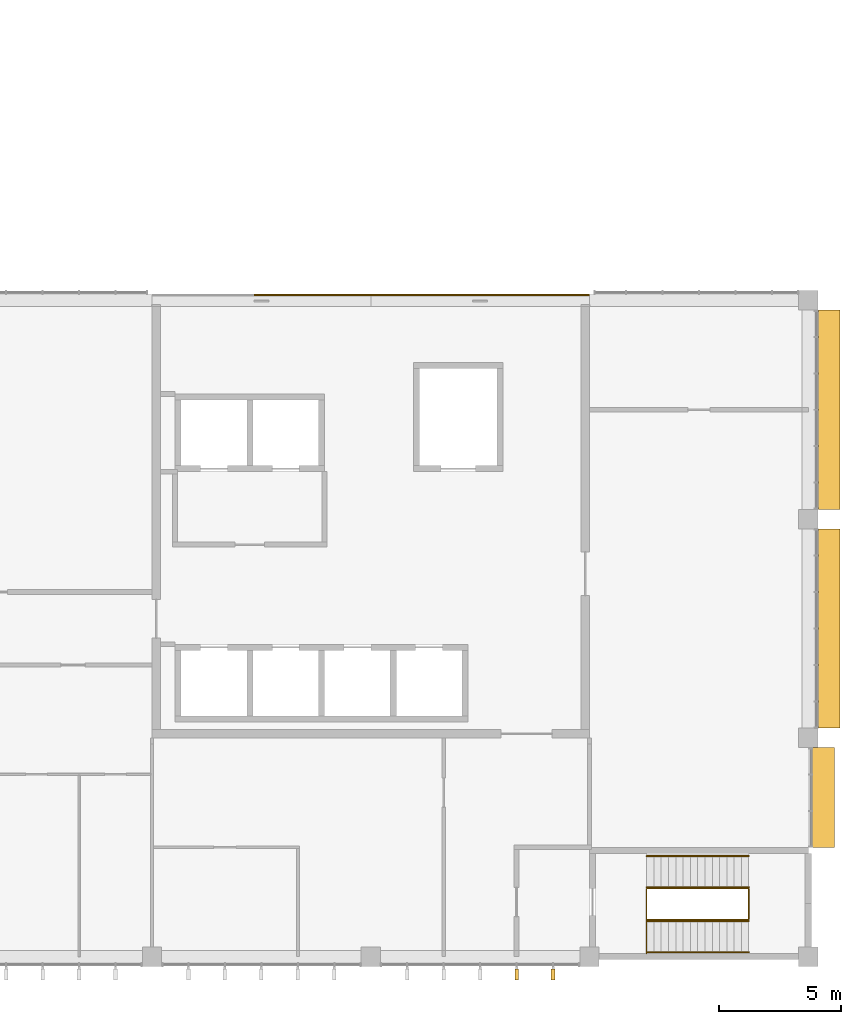
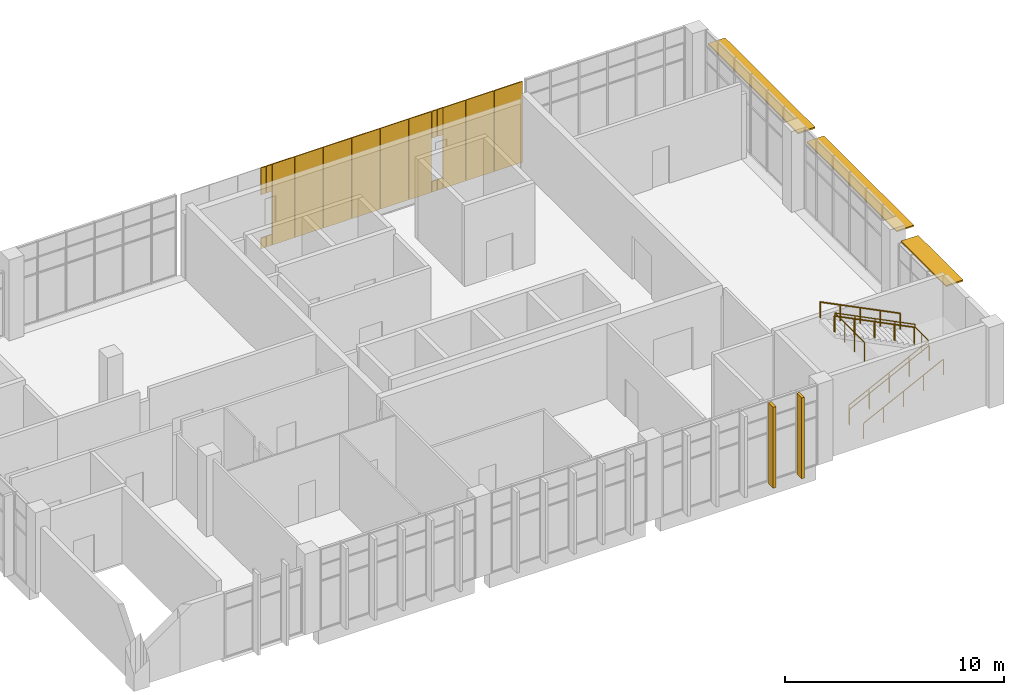
# One storey, part 19 of 19: 17 coverings, 5 railings, 5 shading devices.
"""IFC4 building model written with IfcOpenShell, lengths in metres."""

from ifc_helpers import new_model, si_unit, direction, frame, origin, origin_2d, place, context, subcontext, project, spatial, rectangle, circle, extrude, material, layer, layer_set, type_object, element, save


model = new_model("IFC4")

# Units and contexts
model_context = context("Model", 3, precision=1e-05, world=origin(), true_north=direction((0.0, 1.0)))
body_context = subcontext(model_context, "Body", "Model", "MODEL_VIEW")
ifc_project = project(units=[si_unit("LENGTHUNIT", "METRE"), si_unit("AREAUNIT", "SQUARE_METRE"), si_unit("VOLUMEUNIT", "CUBIC_METRE"), si_unit("PLANEANGLEUNIT", "RADIAN"), si_unit("MASSUNIT", "GRAM", prefix="KILO")], contexts=[model_context])

# Site, building, storey
site_placement = place(None, origin())
site = spatial("IfcSite", under=ifc_project, at=site_placement, CompositionType="ELEMENT")
building_placement = place(site_placement, origin())
building = spatial("IfcBuilding", under=site, at=building_placement, Name="Guidao Yard Department Store", CompositionType="ELEMENT")
storey_placement = place(building_placement, frame((0.0, 0.0, 33.0)))
storey = spatial("IfcBuildingStorey", under=building, at=storey_placement, Name="L07", CompositionType="ELEMENT", Elevation=33.0)

# Coverings
ifc_material_1 = material(Name="Anodised aluminium 6063-T5 cladding", Category="aluminium")
ifc_layer_1 = layer(ifc_material_1, 0.050048828125)
ifc_layer_set_1 = layer_set([ifc_layer_1], Name="Facade cladding CP1 anodised aluminium panel 6063")
covering_type = type_object("IfcCoveringType", Name="Facade cladding CP1 anodised aluminium panel 6063", PredefinedType="CLADDING", material=ifc_layer_set_1)
covering_1_placement = place(storey_placement, frame((148.35009765625, 27.22509765625, 0.0), z_axis=(0.0, 0.0, 1.0), x_axis=(1.0, 0.0, 0.0)))
element("IfcCovering", 1, at=covering_1_placement, inside=storey, type_object=covering_type, Name="Core face cladding", PredefinedType="CLADDING", context=body_context, shape_type="SweptSolid", body=[
    extrude(rectangle(XDim=0.280029296875, YDim=0.050048828125, at=origin_2d()), origin(), (0.0, 0.0, 1.0), 0.60009765625),
])
covering_2_placement = place(storey_placement, frame((148.35009765625, 27.22509765625, 3.0), z_axis=(0.0, 0.0, 1.0), x_axis=(1.0, 0.0, 0.0)))
element("IfcCovering", 2, at=covering_2_placement, inside=storey, type_object=covering_type, Name="Core face cladding", PredefinedType="CLADDING", context=body_context, shape_type="SweptSolid", body=[
    extrude(rectangle(XDim=0.280029296875, YDim=0.050048828125, at=origin_2d()), origin(), (0.0, 0.0, 1.0), 1.5),
])
covering_3_placement = place(storey_placement, frame((148.64990234375, 27.22509765625, 0.0), z_axis=(0.0, 0.0, 1.0), x_axis=(1.0, 0.0, 0.0)))
element("IfcCovering", 3, at=covering_3_placement, inside=storey, type_object=covering_type, Name="Core face cladding", PredefinedType="CLADDING", context=body_context, shape_type="SweptSolid", body=[
    extrude(rectangle(XDim=0.280029296875, YDim=0.050048828125, at=origin_2d()), origin(), (0.0, 0.0, 1.0), 0.60009765625),
])
covering_4_placement = place(storey_placement, frame((148.64990234375, 27.22509765625, 3.0), z_axis=(0.0, 0.0, 1.0), x_axis=(1.0, 0.0, 0.0)))
element("IfcCovering", 4, at=covering_4_placement, inside=storey, type_object=covering_type, Name="Core face cladding", PredefinedType="CLADDING", context=body_context, shape_type="SweptSolid", body=[
    extrude(rectangle(XDim=0.280029296875, YDim=0.050048828125, at=origin_2d()), origin(), (0.0, 0.0, 1.0), 1.5),
])
covering_5_placement = place(storey_placement, frame((149.39990234375, 27.22509765625, 0.0), z_axis=(0.0, 0.0, 1.0), x_axis=(1.0, 0.0, 0.0)))
element("IfcCovering", 5, at=covering_5_placement, inside=storey, type_object=covering_type, Name="Core face cladding", PredefinedType="CLADDING", context=body_context, shape_type="SweptSolid", body=[
    extrude(rectangle(XDim=1.179931640625, YDim=0.050048828125, at=origin_2d()), origin(), (0.0, 0.0, 1.0), 4.5),
])
for number, where, z_axis, x_axis, name in (
    (6, (150.75, 27.22509765625, 0.0), (0.0, 0.0, 1.0), (1.0, 0.0, 0.0), "Core face cladding"),
    (7, (152.25, 27.22509765625, 0.0), (0.0, 0.0, 1.0), (1.0, 0.0, 0.0), "Core face cladding"),
    (8, (153.75, 27.22509765625, 0.0), (0.0, 0.0, 1.0), (1.0, 0.0, 0.0), "Core face cladding"),
    (9, (155.25, 27.22509765625, 0.0), (0.0, 0.0, 1.0), (1.0, 0.0, 0.0), "Core face cladding"),
):
    element("IfcCovering", number, at=place(storey_placement, frame(where, z_axis=z_axis, x_axis=x_axis)), inside=storey, type_object=covering_type, Name=name, PredefinedType="CLADDING", context=body_context, shape_type="SweptSolid", body=[
        extrude(rectangle(XDim=1.47998046875, YDim=0.050048828125, at=origin_2d()), origin(), (0.0, 0.0, 1.0), 4.5),
    ])
covering_6_placement = place(storey_placement, frame((156.60009765625, 27.22509765625, 0.0), z_axis=(0.0, 0.0, 1.0), x_axis=(1.0, 0.0, 0.0)))
element("IfcCovering", 10, at=covering_6_placement, inside=storey, type_object=covering_type, Name="Core face cladding", PredefinedType="CLADDING", context=body_context, shape_type="SweptSolid", body=[
    extrude(rectangle(XDim=1.179931640625, YDim=0.050048828125, at=origin_2d()), origin(), (0.0, 0.0, 1.0), 4.5),
])
covering_7_placement = place(storey_placement, frame((157.35009765625, 27.22509765625, 0.0), z_axis=(0.0, 0.0, 1.0), x_axis=(1.0, 0.0, 0.0)))
element("IfcCovering", 11, at=covering_7_placement, inside=storey, type_object=covering_type, Name="Core face cladding", PredefinedType="CLADDING", context=body_context, shape_type="SweptSolid", body=[
    extrude(rectangle(XDim=0.280029296875, YDim=0.050048828125, at=origin_2d()), origin(), (0.0, 0.0, 1.0), 0.60009765625),
])
covering_8_placement = place(storey_placement, frame((157.35009765625, 27.22509765625, 3.0), z_axis=(0.0, 0.0, 1.0), x_axis=(1.0, 0.0, 0.0)))
element("IfcCovering", 12, at=covering_8_placement, inside=storey, type_object=covering_type, Name="Core face cladding", PredefinedType="CLADDING", context=body_context, shape_type="SweptSolid", body=[
    extrude(rectangle(XDim=0.280029296875, YDim=0.050048828125, at=origin_2d()), origin(), (0.0, 0.0, 1.0), 1.5),
])
covering_9_placement = place(storey_placement, frame((157.64990234375, 27.22509765625, 0.0), z_axis=(0.0, 0.0, 1.0), x_axis=(1.0, 0.0, 0.0)))
element("IfcCovering", 13, at=covering_9_placement, inside=storey, type_object=covering_type, Name="Core face cladding", PredefinedType="CLADDING", context=body_context, shape_type="SweptSolid", body=[
    extrude(rectangle(XDim=0.280029296875, YDim=0.050048828125, at=origin_2d()), origin(), (0.0, 0.0, 1.0), 0.60009765625),
])
covering_10_placement = place(storey_placement, frame((157.64990234375, 27.22509765625, 3.0), z_axis=(0.0, 0.0, 1.0), x_axis=(1.0, 0.0, 0.0)))
element("IfcCovering", 14, at=covering_10_placement, inside=storey, type_object=covering_type, Name="Core face cladding", PredefinedType="CLADDING", context=body_context, shape_type="SweptSolid", body=[
    extrude(rectangle(XDim=0.280029296875, YDim=0.050048828125, at=origin_2d()), origin(), (0.0, 0.0, 1.0), 1.5),
])
covering_11_placement = place(storey_placement, frame((158.39990234375, 27.22509765625, 0.0), z_axis=(0.0, 0.0, 1.0), x_axis=(1.0, 0.0, 0.0)))
element("IfcCovering", 15, at=covering_11_placement, inside=storey, type_object=covering_type, Name="Core face cladding", PredefinedType="CLADDING", context=body_context, shape_type="SweptSolid", body=[
    extrude(rectangle(XDim=1.179931640625, YDim=0.050048828125, at=origin_2d()), origin(), (0.0, 0.0, 1.0), 4.5),
])
for number, where, z_axis, x_axis, name in (
    (16, (159.75, 27.22509765625, 0.0), (0.0, 0.0, 1.0), (1.0, 0.0, 0.0), "Core face cladding"),
    (17, (161.25, 27.22509765625, 0.0), (0.0, 0.0, 1.0), (1.0, 0.0, 0.0), "Core face cladding"),
):
    element("IfcCovering", number, at=place(storey_placement, frame(where, z_axis=z_axis, x_axis=x_axis)), inside=storey, type_object=covering_type, Name=name, PredefinedType="CLADDING", context=body_context, shape_type="SweptSolid", body=[
        extrude(rectangle(XDim=1.47998046875, YDim=0.050048828125, at=origin_2d()), origin(), (0.0, 0.0, 1.0), 4.5),
    ])

# Railings
ifc_material_2 = material(Name="Steel Q235", Category="steel")
railing_type_1 = type_object("IfcRailingType", Name="Guard steel balustrade 1100", PredefinedType="GUARDRAIL", material=ifc_material_2)
railing_placement = place(storey_placement, frame((164.35009765625, 1.52490234375, 0.14990234375)))
element("IfcRailing", 18, at=railing_placement, inside=storey, type_object=railing_type_1, Name="Stair O2 guard L07 1", PredefinedType="GUARDRAIL", context=body_context, shape_type="SweptSolid", body=[
    extrude(circle(Radius=0.02392578125, at=origin_2d()), frame((0.0, 0.0, 1.076171875), z_axis=(0.894416792377, 0.0, 0.447234392142), x_axis=(0.0, 1.0, 0.0)), (0.0, 0.0, 1.0), 4.69580078125),
    extrude(circle(Radius=0.02392578125, at=origin_2d()), frame((4.199951171875, 0.0, 3.17626953125), z_axis=(0.0, 1.0, 0.0), x_axis=(-1.0, 0.0, 0.0)), (0.0, 0.0, 1.0), 1.275146484375),
    extrude(circle(Radius=0.02392578125, at=origin_2d()), frame((4.199951171875, 1.275146484375, 3.17626953125), z_axis=(0.0, 0.0, 1.0), x_axis=(1.0, 0.0, 0.0)), (0.0, 0.0, 1.0), 0.14990234375),
    extrude(circle(Radius=0.02392578125, at=origin_2d()), frame((4.199951171875, 1.275146484375, 3.326171875), z_axis=(-0.894416792377, 0.0, 0.447234392142), x_axis=(0.0, -1.0, 0.0)), (0.0, 0.0, 1.0), 4.69580078125),
    extrude(circle(Radius=0.02392578125, at=origin_2d()), frame((0.0, 1.275146484375, 5.42626953125), z_axis=(0.0, -1.0, 0.0), x_axis=(1.0, 0.0, 0.0)), (0.0, 0.0, 1.0), 2.675048828125),
    extrude(circle(Radius=0.02099609375, at=origin_2d()), origin(), (0.0, 0.0, 1.0), 1.052001953125),
    extrude(circle(Radius=0.02099609375, at=origin_2d()), frame((1.050048828125, 0.0, 0.52490234375)), (0.0, 0.0, 1.0), 1.052001953125),
    extrude(circle(Radius=0.02099609375, at=origin_2d()), frame((2.10009765625, 0.0, 1.050048828125)), (0.0, 0.0, 1.0), 1.052001953125),
    extrude(circle(Radius=0.02099609375, at=origin_2d()), frame((3.14990234375, 0.0, 1.5751953125)), (0.0, 0.0, 1.0), 1.052001953125),
    extrude(circle(Radius=0.02099609375, at=origin_2d()), frame((4.199951171875, 0.0, 2.10009765625)), (0.0, 0.0, 1.0), 1.052001953125),
    extrude(circle(Radius=0.02099609375, at=origin_2d()), frame((4.199951171875, 0.6376953125, 2.10009765625)), (0.0, 0.0, 1.0), 1.052001953125),
    extrude(circle(Radius=0.02099609375, at=origin_2d()), frame((4.199951171875, 1.275146484375, 2.10009765625)), (0.0, 0.0, 1.0), 1.052001953125),
    extrude(circle(Radius=0.02099609375, at=origin_2d()), frame((4.199951171875, 1.275146484375, 2.25)), (0.0, 0.0, 1.0), 1.052001953125),
    extrude(circle(Radius=0.02099609375, at=origin_2d()), frame((3.14990234375, 1.275146484375, 2.77490234375)), (0.0, 0.0, 1.0), 1.052001953125),
    extrude(circle(Radius=0.02099609375, at=origin_2d()), frame((2.10009765625, 1.275146484375, 3.300048828125)), (0.0, 0.0, 1.0), 1.052001953125),
    extrude(circle(Radius=0.02099609375, at=origin_2d()), frame((1.050048828125, 1.275146484375, 3.8251953125)), (0.0, 0.0, 1.0), 1.052001953125),
    extrude(circle(Radius=0.02099609375, at=origin_2d()), frame((0.0, 1.275146484375, 4.35009765625)), (0.0, 0.0, 1.0), 1.052001953125),
    extrude(circle(Radius=0.02099609375, at=origin_2d()), frame((0.0, 0.383544921875, 4.35009765625)), (0.0, 0.0, 1.0), 1.052001953125),
    extrude(circle(Radius=0.02099609375, at=origin_2d()), frame((0.0, -0.50830078125, 4.35009765625)), (0.0, 0.0, 1.0), 1.052001953125),
    extrude(circle(Radius=0.02099609375, at=origin_2d()), frame((0.0, -1.39990234375, 4.35009765625)), (0.0, 0.0, 1.0), 1.052001953125),
])
ifc_material_3 = material(Name="Steel Q235", Category="steel")
railing_type_2 = type_object("IfcRailingType", Name="Handrail steel tube 48", PredefinedType="HANDRAIL", material=ifc_material_3)
for number, where, name in (
    (19, (164.35009765625, 0.18505859375, 0.14990234375), "Stair O2 hand rail L07 1"),
    (20, (164.35009765625, 1.465087890625, 0.14990234375), "Stair O2 hand rail L07 2"),
):
    element("IfcRailing", number, at=place(storey_placement, frame(where)), inside=storey, type_object=railing_type_2, Name=name, PredefinedType="HANDRAIL", context=body_context, shape_type="SweptSolid", body=[
        extrude(circle(Radius=0.02392578125, at=origin_2d()), frame((0.0, 0.0, 0.8759765625), z_axis=(0.894416792377, 0.0, 0.447234392142), x_axis=(0.0, 1.0, 0.0)), (0.0, 0.0, 1.0), 4.69580078125),
        extrude(circle(Radius=0.02099609375, at=origin_2d()), origin(), (0.0, 0.0, 1.0), 0.851806640625),
        extrude(circle(Radius=0.02099609375, at=origin_2d()), frame((1.050048828125, 0.0, 0.52490234375)), (0.0, 0.0, 1.0), 0.851806640625),
        extrude(circle(Radius=0.02099609375, at=origin_2d()), frame((2.10009765625, 0.0, 1.050048828125)), (0.0, 0.0, 1.0), 0.851806640625),
        extrude(circle(Radius=0.02099609375, at=origin_2d()), frame((3.14990234375, 0.0, 1.5751953125)), (0.0, 0.0, 1.0), 0.851806640625),
        extrude(circle(Radius=0.02099609375, at=origin_2d()), frame((4.199951171875, 0.0, 2.10009765625)), (0.0, 0.0, 1.0), 0.851806640625),
    ])
for number, where, name in (
    (21, (168.550048828125, 2.860107421875, 2.39990234375), "Stair O2 hand rail L07 3"),
    (22, (168.550048828125, 4.139892578125, 2.39990234375), "Stair O2 hand rail L07 4"),
):
    element("IfcRailing", number, at=place(storey_placement, frame(where)), inside=storey, type_object=railing_type_2, Name=name, PredefinedType="HANDRAIL", context=body_context, shape_type="SweptSolid", body=[
        extrude(circle(Radius=0.02392578125, at=origin_2d()), frame((0.0, 0.0, 0.8759765625), z_axis=(-0.894416792377, 0.0, 0.447234392142), x_axis=(0.0, -1.0, 0.0)), (0.0, 0.0, 1.0), 4.69580078125),
        extrude(circle(Radius=0.02099609375, at=origin_2d()), origin(), (0.0, 0.0, 1.0), 0.851806640625),
        extrude(circle(Radius=0.02099609375, at=origin_2d()), frame((-1.050048828125, 0.0, 0.52490234375)), (0.0, 0.0, 1.0), 0.851806640625),
        extrude(circle(Radius=0.02099609375, at=origin_2d()), frame((-2.10009765625, 0.0, 1.050048828125)), (0.0, 0.0, 1.0), 0.851806640625),
        extrude(circle(Radius=0.02099609375, at=origin_2d()), frame((-3.14990234375, 0.0, 1.5751953125)), (0.0, 0.0, 1.0), 0.851806640625),
        extrude(circle(Radius=0.02099609375, at=origin_2d()), frame((-4.199951171875, 0.0, 2.10009765625)), (0.0, 0.0, 1.0), 0.851806640625),
    ])

# Shading devices
ifc_material_4 = material(Name="Aluminium 6063-T5", Category="aluminium")
ifc_layer_2 = layer(ifc_material_4, 0.080078125)
ifc_layer_set_2 = layer_set([ifc_layer_2], Name="Sunshade blade SB1 aluminium")
shading_device_type_1 = type_object("IfcShadingDeviceType", Name="Sunshade blade SB1 aluminium", PredefinedType="SHUTTER", material=ifc_layer_set_2)
shading_device_placement = place(storey_placement, frame((171.6298828125, 6.550048828125, 3.599853515625), z_axis=(0.0, 0.0, 1.0), x_axis=(0.0, -1.0, 0.0)))
element("IfcShadingDevice", 23, at=shading_device_placement, inside=storey, type_object=shading_device_type_1, Name="Sunshade blade", PredefinedType="SHUTTER", context=body_context, shape_type="SweptSolid", body=[
    extrude(rectangle(XDim=4.10009765625, YDim=0.89990234375, at=origin_2d()), origin(), (0.0, 0.0, 1.0), 0.080078125),
])
for number, where, z_axis, x_axis, name in (
    (24, (171.860107421875, 13.5, 3.599853515625), (0.0, 0.0, 1.0), (0.0, -1.0, 0.0), "Sunshade blade"),
    (25, (171.860107421875, 22.5, 3.599853515625), (0.0, 0.0, 1.0), (0.0, -1.0, 0.0), "Sunshade blade"),
):
    element("IfcShadingDevice", number, at=place(storey_placement, frame(where, z_axis=z_axis, x_axis=x_axis)), inside=storey, type_object=shading_device_type_1, Name=name, PredefinedType="SHUTTER", context=body_context, shape_type="SweptSolid", body=[
        extrude(rectangle(XDim=8.199951171875, YDim=0.89990234375, at=origin_2d()), origin(), (0.0, 0.0, 1.0), 0.080078125),
    ])
ifc_material_5 = material(Name="Aluminium 6063-T5", Category="aluminium")
shading_device_type_2 = type_object("IfcShadingDeviceType", Name="Vertical fin FN2 aluminium 150 x 450", PredefinedType="SHUTTER", material=ifc_material_5)
for number, where, z_axis, x_axis, name in (
    (26, (159.0, -0.735107421875, 0.0), (0.0, 0.0, 1.0), (-1.0, 0.0, 0.0), "Vertical fin"),
    (27, (160.5, -0.735107421875, 0.0), (0.0, 0.0, 1.0), (-1.0, 0.0, 0.0), "Vertical fin"),
):
    element("IfcShadingDevice", number, at=place(storey_placement, frame(where, z_axis=z_axis, x_axis=x_axis)), inside=storey, type_object=shading_device_type_2, Name=name, PredefinedType="SHUTTER", context=body_context, shape_type="SweptSolid", body=[
        extrude(rectangle(XDim=0.14990234375, YDim=0.449951171875, at=origin_2d()), origin(), (0.0, 0.0, 1.0), 4.5),
    ])

save(model, "model.ifc")
